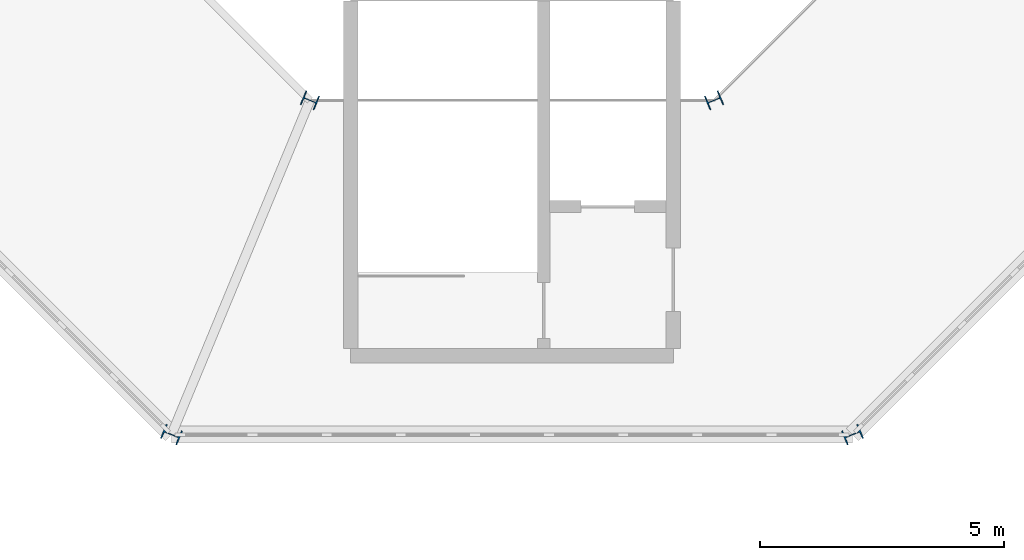
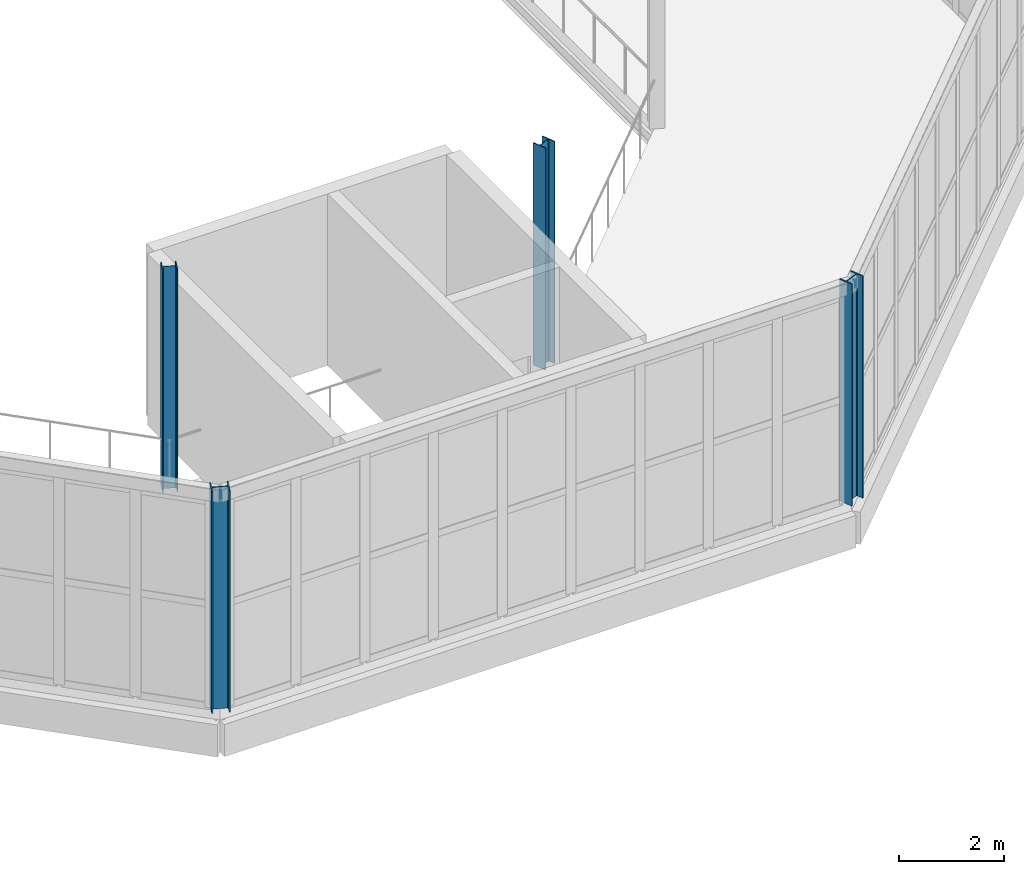
# One storey, part 3 of 161: 4 columns.
"""IFC4 building model written with IfcOpenShell, lengths in metres."""

from ifc_helpers import new_model, si_unit, direction, frame, origin, origin_2d, place, context, subcontext, project, spatial, i_section, extrude, material, material_profile, profile_set, type_object, element, save


model = new_model("IFC4")

# Units and contexts
model_context = context("Model", 3, precision=1e-05, world=origin(), true_north=direction((0.0, 1.0)))
body_context = subcontext(model_context, "Body", "Model", "MODEL_VIEW")
ifc_project = project(units=[si_unit("LENGTHUNIT", "METRE"), si_unit("AREAUNIT", "SQUARE_METRE"), si_unit("VOLUMEUNIT", "CUBIC_METRE"), si_unit("PLANEANGLEUNIT", "RADIAN"), si_unit("MASSUNIT", "GRAM", prefix="KILO")], contexts=[model_context])

# Site, building, storey
site_placement = place(None, origin())
site = spatial("IfcSite", under=ifc_project, at=site_placement, CompositionType="ELEMENT")
building_placement = place(site_placement, origin())
building = spatial("IfcBuilding", under=site, at=building_placement, Name="Kildeholm Park Wholesale Market", CompositionType="ELEMENT")
storey_placement = place(building_placement, frame((0.0, 0.0, 5.39990234375)))
storey = spatial("IfcBuildingStorey", under=building, at=storey_placement, Name="L01", CompositionType="ELEMENT", Elevation=5.39990234375)

# Columns
ifc_material = material(Name="Steel S355", Category="steel")
ifc_material_profile_1 = material_profile(ifc_material, i_section(OverallWidth=0.300048828125, OverallDepth=0.300048828125, WebThickness=0.010986328125, FlangeThickness=0.01904296875, FilletRadius=0.027099609375, at=origin_2d()), Name="HEB 300")
ifc_profile_set_1 = profile_set([ifc_material_profile_1], Name="Steel S355")
column_type_1 = type_object("IfcColumnType", Name="Column C-S03 HEB 300", PredefinedType="COLUMN", material=ifc_profile_set_1)
for number, where, z_axis, x_axis, name in (
    (1, (16.866943359375, 62.02197265625, 0.0), (0.0, 0.0, 1.0), (-0.382683432365, -0.923879532511, 0.0), "Column V3-IN-05 L01 COL-0318"),
    (2, (25.133056640625, 62.02197265625, 0.0), (0.0, 0.0, 1.0), (0.382683432365, -0.923879532511, 0.0), "Column V3-IN-06 L01 COL-0322"),
):
    element("IfcColumn", number, at=place(storey_placement, frame(where, z_axis=z_axis, x_axis=x_axis)), inside=storey, type_object=column_type_1, Name=name, PredefinedType="COLUMN", context=body_context, shape_type="SweptSolid", body=[
        extrude(i_section(OverallWidth=0.300048828125, OverallDepth=0.300048828125, WebThickness=0.010986328125, FlangeThickness=0.01904296875, FilletRadius=0.027099609375, at=origin_2d()), origin(), (0.0, 0.0, 1.0), 5.18017578125),
    ])
ifc_material_profile_2 = material_profile(ifc_material, i_section(OverallWidth=0.300048828125, OverallDepth=0.360107421875, WebThickness=0.012451171875, FlangeThickness=0.0224609375, FilletRadius=0.027099609375, at=origin_2d()), Name="HEB 360")
ifc_profile_set_2 = profile_set([ifc_material_profile_2], Name="Steel S355")
column_type_2 = type_object("IfcColumnType", Name="Column C-S04 HEB 360", PredefinedType="COLUMN", material=ifc_profile_set_2)
for number, where, z_axis, x_axis, name in (
    (3, (14.034912109375, 55.18505859375, 0.0), (0.0, 0.0, 1.0), (-0.382683432365, -0.923879532511, 0.0), "Column V3-OT-05 L01 COL-0320"),
    (4, (27.965087890625, 55.18505859375, 0.0), (0.0, 0.0, 1.0), (0.382683432365, -0.923879532511, 0.0), "Column V3-OT-06 L01 COL-0324"),
):
    element("IfcColumn", number, at=place(storey_placement, frame(where, z_axis=z_axis, x_axis=x_axis)), inside=storey, type_object=column_type_2, Name=name, PredefinedType="COLUMN", context=body_context, shape_type="SweptSolid", body=[
        extrude(i_section(OverallWidth=0.300048828125, OverallDepth=0.360107421875, WebThickness=0.012451171875, FlangeThickness=0.0224609375, FilletRadius=0.027099609375, at=origin_2d()), origin(), (0.0, 0.0, 1.0), 5.18017578125),
    ])

save(model, "model.ifc")
